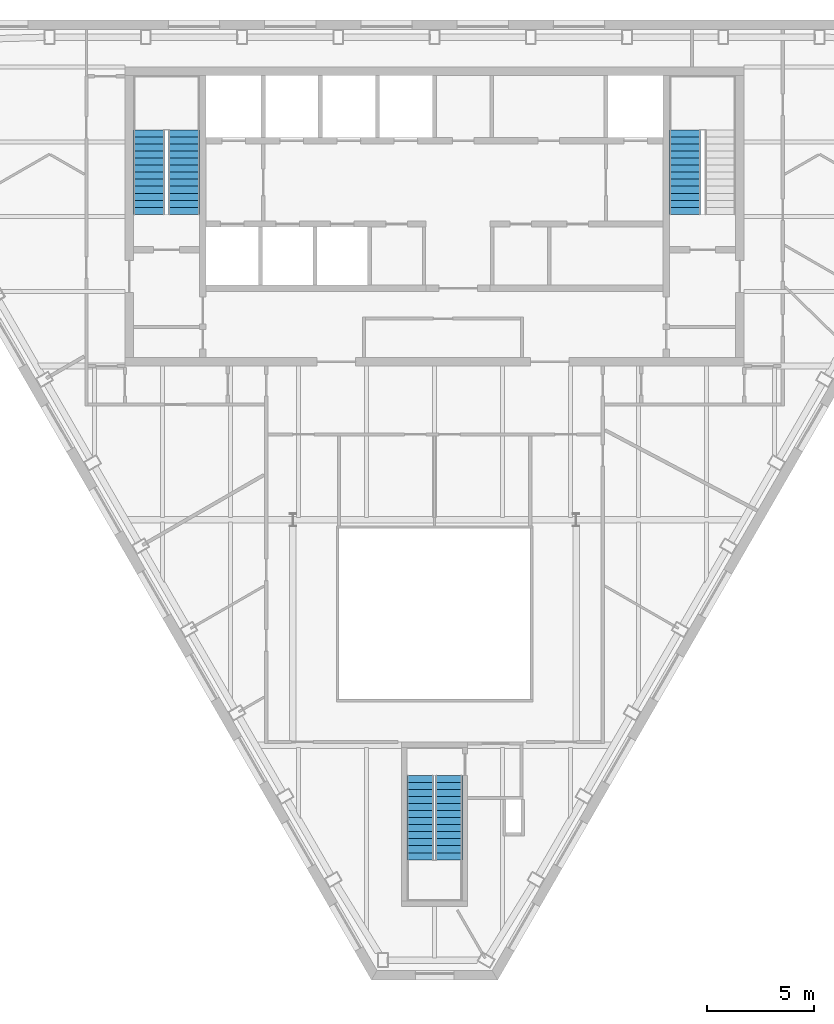
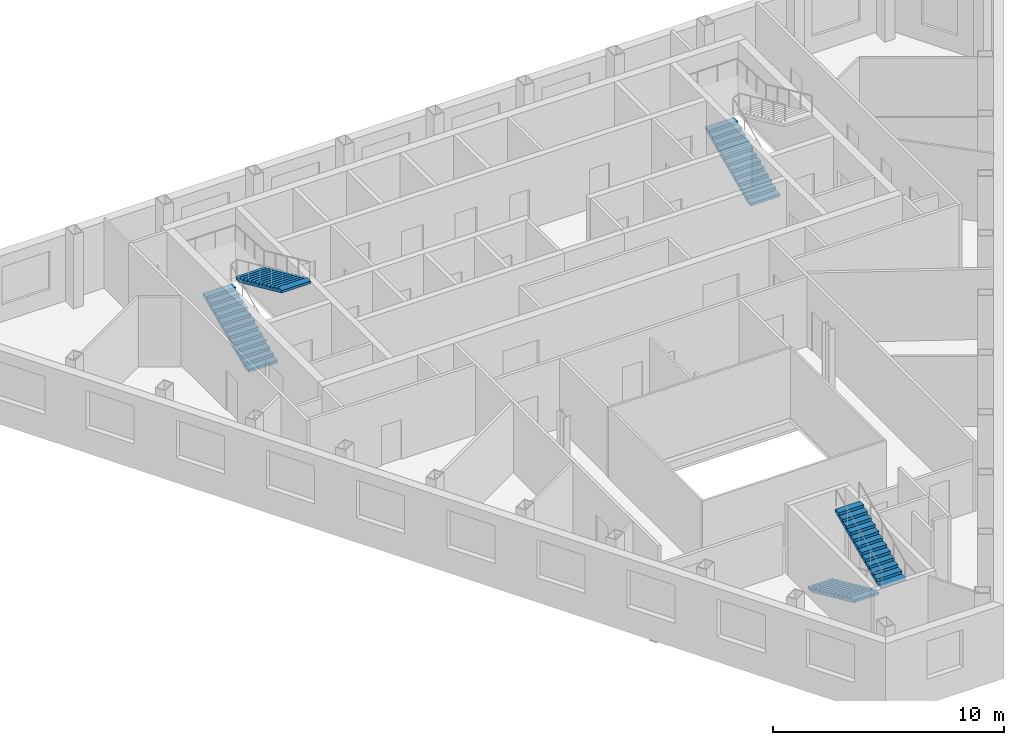
# One storey, part 8 of 10: 5 stair flights, 3 elements without a shape of their own.
"""IFC4 building model written with IfcOpenShell, lengths in metres."""

from ifc_helpers import new_model, si_unit, direction, frame, origin, place, context, subcontext, project, spatial, polygons, material, type_object, element, aggregate, save


model = new_model("IFC4")

# Units and contexts
model_context = context("Model", 3, precision=1e-05, world=origin(), true_north=direction((0.0, 1.0)))
body_context = subcontext(model_context, "Body", "Model", "MODEL_VIEW")
ifc_project = project(units=[si_unit("LENGTHUNIT", "METRE"), si_unit("AREAUNIT", "SQUARE_METRE"), si_unit("VOLUMEUNIT", "CUBIC_METRE"), si_unit("PLANEANGLEUNIT", "RADIAN"), si_unit("MASSUNIT", "GRAM", prefix="KILO")], contexts=[model_context])

# Site, building, storey
site_placement = place(None, origin())
site = spatial("IfcSite", under=ifc_project, at=site_placement, CompositionType="ELEMENT")
building_placement = place(site_placement, origin())
building = spatial("IfcBuilding", under=site, at=building_placement, Name="Njiva Tower", CompositionType="ELEMENT")
storey_placement = place(building_placement, frame((0.0, 0.0, 261.0)))
storey = spatial("IfcBuildingStorey", under=building, at=storey_placement, Name="L59", CompositionType="ELEMENT", Elevation=261.0)

# Stair, stair flights
ifc_material = material(Name="Concrete C40/50", Category="concrete")
stair_type_1 = type_object("IfcStairType", Name="ST1 Exit stair 1250", PredefinedType="HALF_TURN_STAIR", material=ifc_material)
stair_1_placement = place(storey_placement, origin())
stair_1 = element("IfcStair", 1, at=stair_1_placement, inside=storey, type_object=stair_type_1, Name="Stair C", PredefinedType="HALF_TURN_STAIR")
stair_flight_type_1 = type_object("IfcStairFlightType", Name="FL1 Stair flight 1250", PredefinedType="STRAIGHT", material=ifc_material)
stair_flight_1_placement = place(storey_placement, frame((-0.675, -15.16, 0.0), z_axis=(0.0, 0.0, 1.0), x_axis=(0.0, -1.0, 0.0)))
stair_flight_1 = element("IfcStairFlight", 2, at=stair_flight_1_placement, type_object=stair_flight_type_1, Name="ST-C flight 1", NumberOfRisers=13, NumberOfTreads=12, PredefinedType="STRAIGHT", RiserHeight=0.15, TreadLength=0.33, context=body_context, shape_type="Tessellation", body=[
    polygons([(0.0, 0.625, 0.0), (0.0, 0.3125, 0.0), (0.0, 0.0, 0.0), (0.0, -0.3125, 0.0), (0.0, -0.625, 0.0), (0.0, 0.625, 0.15), (0.0, 0.3125, 0.15), (0.0, 0.0, 0.15), (0.0, -0.3125, 0.15), (0.0, -0.625, 0.15), (0.33, 0.625, 0.15), (0.33, 0.3125, 0.15), (0.33, 0.0, 0.15), (0.33, -0.3125, 0.15), (0.33, -0.625, 0.15), (0.33, 0.625, 0.3), (0.33, 0.3125, 0.3), (0.33, 0.0, 0.3), (0.33, -0.3125, 0.3), (0.33, -0.625, 0.3), (0.66, 0.625, 0.3), (0.66, 0.3125, 0.3), (0.66, 0.0, 0.3), (0.66, -0.3125, 0.3), (0.66, -0.625, 0.3), (0.66, 0.625, 0.45), (0.66, 0.3125, 0.45), (0.66, 0.0, 0.45), (0.66, -0.3125, 0.45), (0.66, -0.625, 0.45), (0.99, 0.625, 0.45), (0.99, 0.3125, 0.45), (0.99, 0.0, 0.45), (0.99, -0.3125, 0.45), (0.99, -0.625, 0.45), (0.99, 0.625, 0.6), (0.99, 0.3125, 0.6), (0.99, 0.0, 0.6), (0.99, -0.3125, 0.6), (0.99, -0.625, 0.6), (1.32, 0.625, 0.6), (1.32, 0.3125, 0.6), (1.32, 0.0, 0.6), (1.32, -0.3125, 0.6), (1.32, -0.625, 0.6), (1.32, 0.625, 0.75), (1.32, 0.3125, 0.75), (1.32, 0.0, 0.75), (1.32, -0.3125, 0.75), (1.32, -0.625, 0.75), (1.65, 0.625, 0.75), (1.65, 0.3125, 0.75), (1.65, 0.0, 0.75), (1.65, -0.3125, 0.75), (1.65, -0.625, 0.75), (1.65, 0.625, 0.9), (1.65, 0.3125, 0.9), (1.65, 0.0, 0.9), (1.65, -0.3125, 0.9), (1.65, -0.625, 0.9), (1.98, 0.625, 0.9), (1.98, 0.3125, 0.9), (1.98, 0.0, 0.9), (1.98, -0.3125, 0.9), (1.98, -0.625, 0.9), (1.98, 0.625, 1.05), (1.98, 0.3125, 1.05), (1.98, 0.0, 1.05), (1.98, -0.3125, 1.05), (1.98, -0.625, 1.05), (2.31, 0.625, 1.05), (2.31, 0.3125, 1.05), (2.31, 0.0, 1.05), (2.31, -0.3125, 1.05), (2.31, -0.625, 1.05), (2.31, 0.625, 1.2), (2.31, 0.3125, 1.2), (2.31, 0.0, 1.2), (2.31, -0.3125, 1.2), (2.31, -0.625, 1.2), (2.64, 0.625, 1.2), (2.64, 0.3125, 1.2), (2.64, 0.0, 1.2), (2.64, -0.3125, 1.2), (2.64, -0.625, 1.2), (2.64, 0.625, 1.35), (2.64, 0.3125, 1.35), (2.64, 0.0, 1.35), (2.64, -0.3125, 1.35), (2.64, -0.625, 1.35), (2.97, 0.625, 1.35), (2.97, 0.3125, 1.35), (2.97, 0.0, 1.35), (2.97, -0.3125, 1.35), (2.97, -0.625, 1.35), (2.97, 0.625, 1.5), (2.97, 0.3125, 1.5), (2.97, 0.0, 1.5), (2.97, -0.3125, 1.5), (2.97, -0.625, 1.5), (3.3, 0.625, 1.5), (3.3, 0.3125, 1.5), (3.3, 0.0, 1.5), (3.3, -0.3125, 1.5), (3.3, -0.625, 1.5), (3.3, 0.625, 1.65), (3.3, 0.3125, 1.65), (3.3, 0.0, 1.65), (3.3, -0.3125, 1.65), (3.3, -0.625, 1.65), (3.63, 0.625, 1.65), (3.63, 0.3125, 1.65), (3.63, 0.0, 1.65), (3.63, -0.3125, 1.65), (3.63, -0.625, 1.65), (3.63, 0.625, 1.8), (3.63, 0.3125, 1.8), (3.63, 0.0, 1.8), (3.63, -0.3125, 1.8), (3.63, -0.625, 1.8), (3.96, 0.625, 1.8), (3.96, 0.3125, 1.8), (3.96, 0.0, 1.8), (3.96, -0.3125, 1.8), (3.96, -0.625, 1.8), (3.96, 0.625, 1.6682), (3.96, 0.3125, 1.6682), (3.96, 0.0, 1.6682), (3.96, -0.3125, 1.6682), (3.96, -0.625, 1.6682), (0.29, 0.625, 0.0), (0.29, 0.3125, 0.0), (0.29, 0.0, 0.0), (0.29, -0.3125, 0.0), (0.29, -0.625, 0.0)], [[[1, 6, 11, 16, 21, 26, 31, 36, 41, 46, 51, 56, 61, 66, 71, 76, 81, 86, 91, 96, 101, 106, 111, 116, 121, 126, 131]], [[135, 130, 125, 120, 115, 110, 105, 100, 95, 90, 85, 80, 75, 70, 65, 60, 55, 50, 45, 40, 35, 30, 25, 20, 15, 10, 5]], [[6, 1, 2, 7]], [[7, 2, 3, 8]], [[8, 3, 4, 9]], [[9, 4, 5, 10]], [[11, 6, 7, 12]], [[12, 7, 8, 13]], [[13, 8, 9, 14]], [[14, 9, 10, 15]], [[16, 11, 12, 17]], [[17, 12, 13, 18]], [[18, 13, 14, 19]], [[19, 14, 15, 20]], [[21, 16, 17, 22]], [[22, 17, 18, 23]], [[23, 18, 19, 24]], [[24, 19, 20, 25]], [[26, 21, 22, 27]], [[27, 22, 23, 28]], [[28, 23, 24, 29]], [[29, 24, 25, 30]], [[31, 26, 27, 32]], [[32, 27, 28, 33]], [[33, 28, 29, 34]], [[34, 29, 30, 35]], [[36, 31, 32, 37]], [[37, 32, 33, 38]], [[38, 33, 34, 39]], [[39, 34, 35, 40]], [[41, 36, 37, 42]], [[42, 37, 38, 43]], [[43, 38, 39, 44]], [[44, 39, 40, 45]], [[46, 41, 42, 47]], [[47, 42, 43, 48]], [[48, 43, 44, 49]], [[49, 44, 45, 50]], [[51, 46, 47, 52]], [[52, 47, 48, 53]], [[53, 48, 49, 54]], [[54, 49, 50, 55]], [[56, 51, 52, 57]], [[57, 52, 53, 58]], [[58, 53, 54, 59]], [[59, 54, 55, 60]], [[61, 56, 57, 62]], [[62, 57, 58, 63]], [[63, 58, 59, 64]], [[64, 59, 60, 65]], [[66, 61, 62, 67]], [[67, 62, 63, 68]], [[68, 63, 64, 69]], [[69, 64, 65, 70]], [[71, 66, 67, 72]], [[72, 67, 68, 73]], [[73, 68, 69, 74]], [[74, 69, 70, 75]], [[76, 71, 72, 77]], [[77, 72, 73, 78]], [[78, 73, 74, 79]], [[79, 74, 75, 80]], [[81, 76, 77, 82]], [[82, 77, 78, 83]], [[83, 78, 79, 84]], [[84, 79, 80, 85]], [[86, 81, 82, 87]], [[87, 82, 83, 88]], [[88, 83, 84, 89]], [[89, 84, 85, 90]], [[91, 86, 87, 92]], [[92, 87, 88, 93]], [[93, 88, 89, 94]], [[94, 89, 90, 95]], [[96, 91, 92, 97]], [[97, 92, 93, 98]], [[98, 93, 94, 99]], [[99, 94, 95, 100]], [[101, 96, 97, 102]], [[102, 97, 98, 103]], [[103, 98, 99, 104]], [[104, 99, 100, 105]], [[106, 101, 102, 107]], [[107, 102, 103, 108]], [[108, 103, 104, 109]], [[109, 104, 105, 110]], [[111, 106, 107, 112]], [[112, 107, 108, 113]], [[113, 108, 109, 114]], [[114, 109, 110, 115]], [[116, 111, 112, 117]], [[117, 112, 113, 118]], [[118, 113, 114, 119]], [[119, 114, 115, 120]], [[121, 116, 117, 122]], [[122, 117, 118, 123]], [[123, 118, 119, 124]], [[124, 119, 120, 125]], [[126, 121, 122, 127]], [[127, 122, 123, 128]], [[128, 123, 124, 129]], [[129, 124, 125, 130]], [[131, 126, 127, 132]], [[132, 127, 128, 133]], [[133, 128, 129, 134]], [[134, 129, 130, 135]], [[1, 131, 132, 2]], [[2, 132, 133, 3]], [[3, 133, 134, 4]], [[4, 134, 135, 5]]], closed=True),
])
stair_flight_2_placement = place(storey_placement, frame((0.675, -19.12, 1.95), z_axis=(0.0, 0.0, 1.0), x_axis=(0.0, 1.0, 0.0)))
stair_flight_2 = element("IfcStairFlight", 3, at=stair_flight_2_placement, type_object=stair_flight_type_1, Name="ST-C flight 2", NumberOfRisers=13, NumberOfTreads=12, PredefinedType="STRAIGHT", RiserHeight=0.15, TreadLength=0.33, context=body_context, shape_type="Tessellation", body=[
    polygons([(0.0, 0.625, 0.0), (0.0, 0.3125, 0.0), (0.0, 0.0, 0.0), (0.0, -0.3125, 0.0), (0.0, -0.625, 0.0), (0.0, 0.625, 0.15), (0.0, 0.3125, 0.15), (0.0, 0.0, 0.15), (0.0, -0.3125, 0.15), (0.0, -0.625, 0.15), (0.33, 0.625, 0.15), (0.33, 0.3125, 0.15), (0.33, 0.0, 0.15), (0.33, -0.3125, 0.15), (0.33, -0.625, 0.15), (0.33, 0.625, 0.3), (0.33, 0.3125, 0.3), (0.33, 0.0, 0.3), (0.33, -0.3125, 0.3), (0.33, -0.625, 0.3), (0.66, 0.625, 0.3), (0.66, 0.3125, 0.3), (0.66, 0.0, 0.3), (0.66, -0.3125, 0.3), (0.66, -0.625, 0.3), (0.66, 0.625, 0.45), (0.66, 0.3125, 0.45), (0.66, 0.0, 0.45), (0.66, -0.3125, 0.45), (0.66, -0.625, 0.45), (0.99, 0.625, 0.45), (0.99, 0.3125, 0.45), (0.99, 0.0, 0.45), (0.99, -0.3125, 0.45), (0.99, -0.625, 0.45), (0.99, 0.625, 0.6), (0.99, 0.3125, 0.6), (0.99, 0.0, 0.6), (0.99, -0.3125, 0.6), (0.99, -0.625, 0.6), (1.32, 0.625, 0.6), (1.32, 0.3125, 0.6), (1.32, 0.0, 0.6), (1.32, -0.3125, 0.6), (1.32, -0.625, 0.6), (1.32, 0.625, 0.75), (1.32, 0.3125, 0.75), (1.32, 0.0, 0.75), (1.32, -0.3125, 0.75), (1.32, -0.625, 0.75), (1.65, 0.625, 0.75), (1.65, 0.3125, 0.75), (1.65, 0.0, 0.75), (1.65, -0.3125, 0.75), (1.65, -0.625, 0.75), (1.65, 0.625, 0.9), (1.65, 0.3125, 0.9), (1.65, 0.0, 0.9), (1.65, -0.3125, 0.9), (1.65, -0.625, 0.9), (1.98, 0.625, 0.9), (1.98, 0.3125, 0.9), (1.98, 0.0, 0.9), (1.98, -0.3125, 0.9), (1.98, -0.625, 0.9), (1.98, 0.625, 1.05), (1.98, 0.3125, 1.05), (1.98, 0.0, 1.05), (1.98, -0.3125, 1.05), (1.98, -0.625, 1.05), (2.31, 0.625, 1.05), (2.31, 0.3125, 1.05), (2.31, 0.0, 1.05), (2.31, -0.3125, 1.05), (2.31, -0.625, 1.05), (2.31, 0.625, 1.2), (2.31, 0.3125, 1.2), (2.31, 0.0, 1.2), (2.31, -0.3125, 1.2), (2.31, -0.625, 1.2), (2.64, 0.625, 1.2), (2.64, 0.3125, 1.2), (2.64, 0.0, 1.2), (2.64, -0.3125, 1.2), (2.64, -0.625, 1.2), (2.64, 0.625, 1.35), (2.64, 0.3125, 1.35), (2.64, 0.0, 1.35), (2.64, -0.3125, 1.35), (2.64, -0.625, 1.35), (2.97, 0.625, 1.35), (2.97, 0.3125, 1.35), (2.97, 0.0, 1.35), (2.97, -0.3125, 1.35), (2.97, -0.625, 1.35), (2.97, 0.625, 1.5), (2.97, 0.3125, 1.5), (2.97, 0.0, 1.5), (2.97, -0.3125, 1.5), (2.97, -0.625, 1.5), (3.3, 0.625, 1.5), (3.3, 0.3125, 1.5), (3.3, 0.0, 1.5), (3.3, -0.3125, 1.5), (3.3, -0.625, 1.5), (3.3, 0.625, 1.65), (3.3, 0.3125, 1.65), (3.3, 0.0, 1.65), (3.3, -0.3125, 1.65), (3.3, -0.625, 1.65), (3.63, 0.625, 1.65), (3.63, 0.3125, 1.65), (3.63, 0.0, 1.65), (3.63, -0.3125, 1.65), (3.63, -0.625, 1.65), (3.63, 0.625, 1.8), (3.63, 0.3125, 1.8), (3.63, 0.0, 1.8), (3.63, -0.3125, 1.8), (3.63, -0.625, 1.8), (3.96, 0.625, 1.8), (3.96, 0.3125, 1.8), (3.96, 0.0, 1.8), (3.96, -0.3125, 1.8), (3.96, -0.625, 1.8), (3.96, 0.625, 1.6682), (3.96, 0.3125, 1.6682), (3.96, 0.0, 1.6682), (3.96, -0.3125, 1.6682), (3.96, -0.625, 1.6682), (0.29, 0.625, 0.0), (0.29, 0.3125, 0.0), (0.29, 0.0, 0.0), (0.29, -0.3125, 0.0), (0.29, -0.625, 0.0)], [[[1, 6, 11, 16, 21, 26, 31, 36, 41, 46, 51, 56, 61, 66, 71, 76, 81, 86, 91, 96, 101, 106, 111, 116, 121, 126, 131]], [[135, 130, 125, 120, 115, 110, 105, 100, 95, 90, 85, 80, 75, 70, 65, 60, 55, 50, 45, 40, 35, 30, 25, 20, 15, 10, 5]], [[6, 1, 2, 7]], [[7, 2, 3, 8]], [[8, 3, 4, 9]], [[9, 4, 5, 10]], [[11, 6, 7, 12]], [[12, 7, 8, 13]], [[13, 8, 9, 14]], [[14, 9, 10, 15]], [[16, 11, 12, 17]], [[17, 12, 13, 18]], [[18, 13, 14, 19]], [[19, 14, 15, 20]], [[21, 16, 17, 22]], [[22, 17, 18, 23]], [[23, 18, 19, 24]], [[24, 19, 20, 25]], [[26, 21, 22, 27]], [[27, 22, 23, 28]], [[28, 23, 24, 29]], [[29, 24, 25, 30]], [[31, 26, 27, 32]], [[32, 27, 28, 33]], [[33, 28, 29, 34]], [[34, 29, 30, 35]], [[36, 31, 32, 37]], [[37, 32, 33, 38]], [[38, 33, 34, 39]], [[39, 34, 35, 40]], [[41, 36, 37, 42]], [[42, 37, 38, 43]], [[43, 38, 39, 44]], [[44, 39, 40, 45]], [[46, 41, 42, 47]], [[47, 42, 43, 48]], [[48, 43, 44, 49]], [[49, 44, 45, 50]], [[51, 46, 47, 52]], [[52, 47, 48, 53]], [[53, 48, 49, 54]], [[54, 49, 50, 55]], [[56, 51, 52, 57]], [[57, 52, 53, 58]], [[58, 53, 54, 59]], [[59, 54, 55, 60]], [[61, 56, 57, 62]], [[62, 57, 58, 63]], [[63, 58, 59, 64]], [[64, 59, 60, 65]], [[66, 61, 62, 67]], [[67, 62, 63, 68]], [[68, 63, 64, 69]], [[69, 64, 65, 70]], [[71, 66, 67, 72]], [[72, 67, 68, 73]], [[73, 68, 69, 74]], [[74, 69, 70, 75]], [[76, 71, 72, 77]], [[77, 72, 73, 78]], [[78, 73, 74, 79]], [[79, 74, 75, 80]], [[81, 76, 77, 82]], [[82, 77, 78, 83]], [[83, 78, 79, 84]], [[84, 79, 80, 85]], [[86, 81, 82, 87]], [[87, 82, 83, 88]], [[88, 83, 84, 89]], [[89, 84, 85, 90]], [[91, 86, 87, 92]], [[92, 87, 88, 93]], [[93, 88, 89, 94]], [[94, 89, 90, 95]], [[96, 91, 92, 97]], [[97, 92, 93, 98]], [[98, 93, 94, 99]], [[99, 94, 95, 100]], [[101, 96, 97, 102]], [[102, 97, 98, 103]], [[103, 98, 99, 104]], [[104, 99, 100, 105]], [[106, 101, 102, 107]], [[107, 102, 103, 108]], [[108, 103, 104, 109]], [[109, 104, 105, 110]], [[111, 106, 107, 112]], [[112, 107, 108, 113]], [[113, 108, 109, 114]], [[114, 109, 110, 115]], [[116, 111, 112, 117]], [[117, 112, 113, 118]], [[118, 113, 114, 119]], [[119, 114, 115, 120]], [[121, 116, 117, 122]], [[122, 117, 118, 123]], [[123, 118, 119, 124]], [[124, 119, 120, 125]], [[126, 121, 122, 127]], [[127, 122, 123, 128]], [[128, 123, 124, 129]], [[129, 124, 125, 130]], [[131, 126, 127, 132]], [[132, 127, 128, 133]], [[133, 128, 129, 134]], [[134, 129, 130, 135]], [[1, 131, 132, 2]], [[2, 132, 133, 3]], [[3, 133, 134, 4]], [[4, 134, 135, 5]]], closed=True),
])
aggregate(stair_1, [stair_flight_1, stair_flight_2])

stair_type_2 = type_object("IfcStairType", Name="ST3 Exit stair 1450", PredefinedType="HALF_TURN_STAIR", material=ifc_material)
stair_2_placement = place(storey_placement, origin())
stair_2 = element("IfcStair", 4, at=stair_2_placement, inside=storey, type_object=stair_type_2, Name="Stair A", PredefinedType="HALF_TURN_STAIR")
stair_flight_type_2 = type_object("IfcStairFlightType", Name="FL3 Stair flight 1450", PredefinedType="STRAIGHT", material=ifc_material)
stair_flight_3_placement = place(storey_placement, frame((-13.375, 11.1, 0.0), z_axis=(0.0, 0.0, 1.0), x_axis=(0.0, 1.0, 0.0)))
stair_flight_3 = element("IfcStairFlight", 5, at=stair_flight_3_placement, type_object=stair_flight_type_2, Name="ST-A flight 1", NumberOfRisers=13, NumberOfTreads=12, PredefinedType="STRAIGHT", RiserHeight=0.15, TreadLength=0.33, context=body_context, shape_type="Tessellation", body=[
    polygons([(0.0, 0.725, 0.0), (0.0, 0.3625, 0.0), (0.0, 0.0, 0.0), (0.0, -0.3625, 0.0), (0.0, -0.725, 0.0), (0.0, 0.725, 0.15), (0.0, 0.3625, 0.15), (0.0, 0.0, 0.15), (0.0, -0.3625, 0.15), (0.0, -0.725, 0.15), (0.33, 0.725, 0.15), (0.33, 0.3625, 0.15), (0.33, 0.0, 0.15), (0.33, -0.3625, 0.15), (0.33, -0.725, 0.15), (0.33, 0.725, 0.3), (0.33, 0.3625, 0.3), (0.33, 0.0, 0.3), (0.33, -0.3625, 0.3), (0.33, -0.725, 0.3), (0.66, 0.725, 0.3), (0.66, 0.3625, 0.3), (0.66, 0.0, 0.3), (0.66, -0.3625, 0.3), (0.66, -0.725, 0.3), (0.66, 0.725, 0.45), (0.66, 0.3625, 0.45), (0.66, 0.0, 0.45), (0.66, -0.3625, 0.45), (0.66, -0.725, 0.45), (0.99, 0.725, 0.45), (0.99, 0.3625, 0.45), (0.99, 0.0, 0.45), (0.99, -0.3625, 0.45), (0.99, -0.725, 0.45), (0.99, 0.725, 0.6), (0.99, 0.3625, 0.6), (0.99, 0.0, 0.6), (0.99, -0.3625, 0.6), (0.99, -0.725, 0.6), (1.32, 0.725, 0.6), (1.32, 0.3625, 0.6), (1.32, 0.0, 0.6), (1.32, -0.3625, 0.6), (1.32, -0.725, 0.6), (1.32, 0.725, 0.75), (1.32, 0.3625, 0.75), (1.32, 0.0, 0.75), (1.32, -0.3625, 0.75), (1.32, -0.725, 0.75), (1.65, 0.725, 0.75), (1.65, 0.3625, 0.75), (1.65, 0.0, 0.75), (1.65, -0.3625, 0.75), (1.65, -0.725, 0.75), (1.65, 0.725, 0.9), (1.65, 0.3625, 0.9), (1.65, 0.0, 0.9), (1.65, -0.3625, 0.9), (1.65, -0.725, 0.9), (1.98, 0.725, 0.9), (1.98, 0.3625, 0.9), (1.98, 0.0, 0.9), (1.98, -0.3625, 0.9), (1.98, -0.725, 0.9), (1.98, 0.725, 1.05), (1.98, 0.3625, 1.05), (1.98, 0.0, 1.05), (1.98, -0.3625, 1.05), (1.98, -0.725, 1.05), (2.31, 0.725, 1.05), (2.31, 0.3625, 1.05), (2.31, 0.0, 1.05), (2.31, -0.3625, 1.05), (2.31, -0.725, 1.05), (2.31, 0.725, 1.2), (2.31, 0.3625, 1.2), (2.31, 0.0, 1.2), (2.31, -0.3625, 1.2), (2.31, -0.725, 1.2), (2.64, 0.725, 1.2), (2.64, 0.3625, 1.2), (2.64, 0.0, 1.2), (2.64, -0.3625, 1.2), (2.64, -0.725, 1.2), (2.64, 0.725, 1.35), (2.64, 0.3625, 1.35), (2.64, 0.0, 1.35), (2.64, -0.3625, 1.35), (2.64, -0.725, 1.35), (2.97, 0.725, 1.35), (2.97, 0.3625, 1.35), (2.97, 0.0, 1.35), (2.97, -0.3625, 1.35), (2.97, -0.725, 1.35), (2.97, 0.725, 1.5), (2.97, 0.3625, 1.5), (2.97, 0.0, 1.5), (2.97, -0.3625, 1.5), (2.97, -0.725, 1.5), (3.3, 0.725, 1.5), (3.3, 0.3625, 1.5), (3.3, 0.0, 1.5), (3.3, -0.3625, 1.5), (3.3, -0.725, 1.5), (3.3, 0.725, 1.65), (3.3, 0.3625, 1.65), (3.3, 0.0, 1.65), (3.3, -0.3625, 1.65), (3.3, -0.725, 1.65), (3.63, 0.725, 1.65), (3.63, 0.3625, 1.65), (3.63, 0.0, 1.65), (3.63, -0.3625, 1.65), (3.63, -0.725, 1.65), (3.63, 0.725, 1.8), (3.63, 0.3625, 1.8), (3.63, 0.0, 1.8), (3.63, -0.3625, 1.8), (3.63, -0.725, 1.8), (3.96, 0.725, 1.8), (3.96, 0.3625, 1.8), (3.96, 0.0, 1.8), (3.96, -0.3625, 1.8), (3.96, -0.725, 1.8), (3.96, 0.725, 1.6682), (3.96, 0.3625, 1.6682), (3.96, 0.0, 1.6682), (3.96, -0.3625, 1.6682), (3.96, -0.725, 1.6682), (0.29, 0.725, 0.0), (0.29, 0.3625, 0.0), (0.29, 0.0, 0.0), (0.29, -0.3625, 0.0), (0.29, -0.725, 0.0)], [[[1, 6, 11, 16, 21, 26, 31, 36, 41, 46, 51, 56, 61, 66, 71, 76, 81, 86, 91, 96, 101, 106, 111, 116, 121, 126, 131]], [[135, 130, 125, 120, 115, 110, 105, 100, 95, 90, 85, 80, 75, 70, 65, 60, 55, 50, 45, 40, 35, 30, 25, 20, 15, 10, 5]], [[6, 1, 2, 7]], [[7, 2, 3, 8]], [[8, 3, 4, 9]], [[9, 4, 5, 10]], [[11, 6, 7, 12]], [[12, 7, 8, 13]], [[13, 8, 9, 14]], [[14, 9, 10, 15]], [[16, 11, 12, 17]], [[17, 12, 13, 18]], [[18, 13, 14, 19]], [[19, 14, 15, 20]], [[21, 16, 17, 22]], [[22, 17, 18, 23]], [[23, 18, 19, 24]], [[24, 19, 20, 25]], [[26, 21, 22, 27]], [[27, 22, 23, 28]], [[28, 23, 24, 29]], [[29, 24, 25, 30]], [[31, 26, 27, 32]], [[32, 27, 28, 33]], [[33, 28, 29, 34]], [[34, 29, 30, 35]], [[36, 31, 32, 37]], [[37, 32, 33, 38]], [[38, 33, 34, 39]], [[39, 34, 35, 40]], [[41, 36, 37, 42]], [[42, 37, 38, 43]], [[43, 38, 39, 44]], [[44, 39, 40, 45]], [[46, 41, 42, 47]], [[47, 42, 43, 48]], [[48, 43, 44, 49]], [[49, 44, 45, 50]], [[51, 46, 47, 52]], [[52, 47, 48, 53]], [[53, 48, 49, 54]], [[54, 49, 50, 55]], [[56, 51, 52, 57]], [[57, 52, 53, 58]], [[58, 53, 54, 59]], [[59, 54, 55, 60]], [[61, 56, 57, 62]], [[62, 57, 58, 63]], [[63, 58, 59, 64]], [[64, 59, 60, 65]], [[66, 61, 62, 67]], [[67, 62, 63, 68]], [[68, 63, 64, 69]], [[69, 64, 65, 70]], [[71, 66, 67, 72]], [[72, 67, 68, 73]], [[73, 68, 69, 74]], [[74, 69, 70, 75]], [[76, 71, 72, 77]], [[77, 72, 73, 78]], [[78, 73, 74, 79]], [[79, 74, 75, 80]], [[81, 76, 77, 82]], [[82, 77, 78, 83]], [[83, 78, 79, 84]], [[84, 79, 80, 85]], [[86, 81, 82, 87]], [[87, 82, 83, 88]], [[88, 83, 84, 89]], [[89, 84, 85, 90]], [[91, 86, 87, 92]], [[92, 87, 88, 93]], [[93, 88, 89, 94]], [[94, 89, 90, 95]], [[96, 91, 92, 97]], [[97, 92, 93, 98]], [[98, 93, 94, 99]], [[99, 94, 95, 100]], [[101, 96, 97, 102]], [[102, 97, 98, 103]], [[103, 98, 99, 104]], [[104, 99, 100, 105]], [[106, 101, 102, 107]], [[107, 102, 103, 108]], [[108, 103, 104, 109]], [[109, 104, 105, 110]], [[111, 106, 107, 112]], [[112, 107, 108, 113]], [[113, 108, 109, 114]], [[114, 109, 110, 115]], [[116, 111, 112, 117]], [[117, 112, 113, 118]], [[118, 113, 114, 119]], [[119, 114, 115, 120]], [[121, 116, 117, 122]], [[122, 117, 118, 123]], [[123, 118, 119, 124]], [[124, 119, 120, 125]], [[126, 121, 122, 127]], [[127, 122, 123, 128]], [[128, 123, 124, 129]], [[129, 124, 125, 130]], [[131, 126, 127, 132]], [[132, 127, 128, 133]], [[133, 128, 129, 134]], [[134, 129, 130, 135]], [[1, 131, 132, 2]], [[2, 132, 133, 3]], [[3, 133, 134, 4]], [[4, 134, 135, 5]]], closed=True),
])
stair_flight_4_placement = place(storey_placement, frame((-11.725, 15.06, 1.95), z_axis=(0.0, 0.0, 1.0), x_axis=(0.0, -1.0, 0.0)))
stair_flight_4 = element("IfcStairFlight", 6, at=stair_flight_4_placement, type_object=stair_flight_type_2, Name="ST-A flight 2", NumberOfRisers=13, NumberOfTreads=12, PredefinedType="STRAIGHT", RiserHeight=0.15, TreadLength=0.33, context=body_context, shape_type="Tessellation", body=[
    polygons([(0.0, 0.725, 0.0), (0.0, 0.3625, 0.0), (0.0, 0.0, 0.0), (0.0, -0.3625, 0.0), (0.0, -0.725, 0.0), (0.0, 0.725, 0.15), (0.0, 0.3625, 0.15), (0.0, 0.0, 0.15), (0.0, -0.3625, 0.15), (0.0, -0.725, 0.15), (0.33, 0.725, 0.15), (0.33, 0.3625, 0.15), (0.33, 0.0, 0.15), (0.33, -0.3625, 0.15), (0.33, -0.725, 0.15), (0.33, 0.725, 0.3), (0.33, 0.3625, 0.3), (0.33, 0.0, 0.3), (0.33, -0.3625, 0.3), (0.33, -0.725, 0.3), (0.66, 0.725, 0.3), (0.66, 0.3625, 0.3), (0.66, 0.0, 0.3), (0.66, -0.3625, 0.3), (0.66, -0.725, 0.3), (0.66, 0.725, 0.45), (0.66, 0.3625, 0.45), (0.66, 0.0, 0.45), (0.66, -0.3625, 0.45), (0.66, -0.725, 0.45), (0.99, 0.725, 0.45), (0.99, 0.3625, 0.45), (0.99, 0.0, 0.45), (0.99, -0.3625, 0.45), (0.99, -0.725, 0.45), (0.99, 0.725, 0.6), (0.99, 0.3625, 0.6), (0.99, 0.0, 0.6), (0.99, -0.3625, 0.6), (0.99, -0.725, 0.6), (1.32, 0.725, 0.6), (1.32, 0.3625, 0.6), (1.32, 0.0, 0.6), (1.32, -0.3625, 0.6), (1.32, -0.725, 0.6), (1.32, 0.725, 0.75), (1.32, 0.3625, 0.75), (1.32, 0.0, 0.75), (1.32, -0.3625, 0.75), (1.32, -0.725, 0.75), (1.65, 0.725, 0.75), (1.65, 0.3625, 0.75), (1.65, 0.0, 0.75), (1.65, -0.3625, 0.75), (1.65, -0.725, 0.75), (1.65, 0.725, 0.9), (1.65, 0.3625, 0.9), (1.65, 0.0, 0.9), (1.65, -0.3625, 0.9), (1.65, -0.725, 0.9), (1.98, 0.725, 0.9), (1.98, 0.3625, 0.9), (1.98, 0.0, 0.9), (1.98, -0.3625, 0.9), (1.98, -0.725, 0.9), (1.98, 0.725, 1.05), (1.98, 0.3625, 1.05), (1.98, 0.0, 1.05), (1.98, -0.3625, 1.05), (1.98, -0.725, 1.05), (2.31, 0.725, 1.05), (2.31, 0.3625, 1.05), (2.31, 0.0, 1.05), (2.31, -0.3625, 1.05), (2.31, -0.725, 1.05), (2.31, 0.725, 1.2), (2.31, 0.3625, 1.2), (2.31, 0.0, 1.2), (2.31, -0.3625, 1.2), (2.31, -0.725, 1.2), (2.64, 0.725, 1.2), (2.64, 0.3625, 1.2), (2.64, 0.0, 1.2), (2.64, -0.3625, 1.2), (2.64, -0.725, 1.2), (2.64, 0.725, 1.35), (2.64, 0.3625, 1.35), (2.64, 0.0, 1.35), (2.64, -0.3625, 1.35), (2.64, -0.725, 1.35), (2.97, 0.725, 1.35), (2.97, 0.3625, 1.35), (2.97, 0.0, 1.35), (2.97, -0.3625, 1.35), (2.97, -0.725, 1.35), (2.97, 0.725, 1.5), (2.97, 0.3625, 1.5), (2.97, 0.0, 1.5), (2.97, -0.3625, 1.5), (2.97, -0.725, 1.5), (3.3, 0.725, 1.5), (3.3, 0.3625, 1.5), (3.3, 0.0, 1.5), (3.3, -0.3625, 1.5), (3.3, -0.725, 1.5), (3.3, 0.725, 1.65), (3.3, 0.3625, 1.65), (3.3, 0.0, 1.65), (3.3, -0.3625, 1.65), (3.3, -0.725, 1.65), (3.63, 0.725, 1.65), (3.63, 0.3625, 1.65), (3.63, 0.0, 1.65), (3.63, -0.3625, 1.65), (3.63, -0.725, 1.65), (3.63, 0.725, 1.8), (3.63, 0.3625, 1.8), (3.63, 0.0, 1.8), (3.63, -0.3625, 1.8), (3.63, -0.725, 1.8), (3.96, 0.725, 1.8), (3.96, 0.3625, 1.8), (3.96, 0.0, 1.8), (3.96, -0.3625, 1.8), (3.96, -0.725, 1.8), (3.96, 0.725, 1.6682), (3.96, 0.3625, 1.6682), (3.96, 0.0, 1.6682), (3.96, -0.3625, 1.6682), (3.96, -0.725, 1.6682), (0.29, 0.725, 0.0), (0.29, 0.3625, 0.0), (0.29, 0.0, 0.0), (0.29, -0.3625, 0.0), (0.29, -0.725, 0.0)], [[[1, 6, 11, 16, 21, 26, 31, 36, 41, 46, 51, 56, 61, 66, 71, 76, 81, 86, 91, 96, 101, 106, 111, 116, 121, 126, 131]], [[135, 130, 125, 120, 115, 110, 105, 100, 95, 90, 85, 80, 75, 70, 65, 60, 55, 50, 45, 40, 35, 30, 25, 20, 15, 10, 5]], [[6, 1, 2, 7]], [[7, 2, 3, 8]], [[8, 3, 4, 9]], [[9, 4, 5, 10]], [[11, 6, 7, 12]], [[12, 7, 8, 13]], [[13, 8, 9, 14]], [[14, 9, 10, 15]], [[16, 11, 12, 17]], [[17, 12, 13, 18]], [[18, 13, 14, 19]], [[19, 14, 15, 20]], [[21, 16, 17, 22]], [[22, 17, 18, 23]], [[23, 18, 19, 24]], [[24, 19, 20, 25]], [[26, 21, 22, 27]], [[27, 22, 23, 28]], [[28, 23, 24, 29]], [[29, 24, 25, 30]], [[31, 26, 27, 32]], [[32, 27, 28, 33]], [[33, 28, 29, 34]], [[34, 29, 30, 35]], [[36, 31, 32, 37]], [[37, 32, 33, 38]], [[38, 33, 34, 39]], [[39, 34, 35, 40]], [[41, 36, 37, 42]], [[42, 37, 38, 43]], [[43, 38, 39, 44]], [[44, 39, 40, 45]], [[46, 41, 42, 47]], [[47, 42, 43, 48]], [[48, 43, 44, 49]], [[49, 44, 45, 50]], [[51, 46, 47, 52]], [[52, 47, 48, 53]], [[53, 48, 49, 54]], [[54, 49, 50, 55]], [[56, 51, 52, 57]], [[57, 52, 53, 58]], [[58, 53, 54, 59]], [[59, 54, 55, 60]], [[61, 56, 57, 62]], [[62, 57, 58, 63]], [[63, 58, 59, 64]], [[64, 59, 60, 65]], [[66, 61, 62, 67]], [[67, 62, 63, 68]], [[68, 63, 64, 69]], [[69, 64, 65, 70]], [[71, 66, 67, 72]], [[72, 67, 68, 73]], [[73, 68, 69, 74]], [[74, 69, 70, 75]], [[76, 71, 72, 77]], [[77, 72, 73, 78]], [[78, 73, 74, 79]], [[79, 74, 75, 80]], [[81, 76, 77, 82]], [[82, 77, 78, 83]], [[83, 78, 79, 84]], [[84, 79, 80, 85]], [[86, 81, 82, 87]], [[87, 82, 83, 88]], [[88, 83, 84, 89]], [[89, 84, 85, 90]], [[91, 86, 87, 92]], [[92, 87, 88, 93]], [[93, 88, 89, 94]], [[94, 89, 90, 95]], [[96, 91, 92, 97]], [[97, 92, 93, 98]], [[98, 93, 94, 99]], [[99, 94, 95, 100]], [[101, 96, 97, 102]], [[102, 97, 98, 103]], [[103, 98, 99, 104]], [[104, 99, 100, 105]], [[106, 101, 102, 107]], [[107, 102, 103, 108]], [[108, 103, 104, 109]], [[109, 104, 105, 110]], [[111, 106, 107, 112]], [[112, 107, 108, 113]], [[113, 108, 109, 114]], [[114, 109, 110, 115]], [[116, 111, 112, 117]], [[117, 112, 113, 118]], [[118, 113, 114, 119]], [[119, 114, 115, 120]], [[121, 116, 117, 122]], [[122, 117, 118, 123]], [[123, 118, 119, 124]], [[124, 119, 120, 125]], [[126, 121, 122, 127]], [[127, 122, 123, 128]], [[128, 123, 124, 129]], [[129, 124, 125, 130]], [[131, 126, 127, 132]], [[132, 127, 128, 133]], [[133, 128, 129, 134]], [[134, 129, 130, 135]], [[1, 131, 132, 2]], [[2, 132, 133, 3]], [[3, 133, 134, 4]], [[4, 134, 135, 5]]], closed=True),
])
aggregate(stair_2, [stair_flight_3, stair_flight_4])

# Stair, stair flight
stair_3_placement = place(storey_placement, origin())
stair_3 = element("IfcStair", 7, at=stair_3_placement, inside=storey, type_object=stair_type_2, Name="Stair B", PredefinedType="HALF_TURN_STAIR")
stair_flight_5_placement = place(storey_placement, frame((11.725, 11.1, 0.0), z_axis=(0.0, 0.0, 1.0), x_axis=(0.0, 1.0, 0.0)))
stair_flight_5 = element("IfcStairFlight", 8, at=stair_flight_5_placement, type_object=stair_flight_type_2, Name="ST-B flight 1", NumberOfRisers=13, NumberOfTreads=12, PredefinedType="STRAIGHT", RiserHeight=0.15, TreadLength=0.33, context=body_context, shape_type="Tessellation", body=[
    polygons([(0.0, 0.725, 0.0), (0.0, 0.3625, 0.0), (0.0, 0.0, 0.0), (0.0, -0.3625, 0.0), (0.0, -0.725, 0.0), (0.0, 0.725, 0.15), (0.0, 0.3625, 0.15), (0.0, 0.0, 0.15), (0.0, -0.3625, 0.15), (0.0, -0.725, 0.15), (0.33, 0.725, 0.15), (0.33, 0.3625, 0.15), (0.33, 0.0, 0.15), (0.33, -0.3625, 0.15), (0.33, -0.725, 0.15), (0.33, 0.725, 0.3), (0.33, 0.3625, 0.3), (0.33, 0.0, 0.3), (0.33, -0.3625, 0.3), (0.33, -0.725, 0.3), (0.66, 0.725, 0.3), (0.66, 0.3625, 0.3), (0.66, 0.0, 0.3), (0.66, -0.3625, 0.3), (0.66, -0.725, 0.3), (0.66, 0.725, 0.45), (0.66, 0.3625, 0.45), (0.66, 0.0, 0.45), (0.66, -0.3625, 0.45), (0.66, -0.725, 0.45), (0.99, 0.725, 0.45), (0.99, 0.3625, 0.45), (0.99, 0.0, 0.45), (0.99, -0.3625, 0.45), (0.99, -0.725, 0.45), (0.99, 0.725, 0.6), (0.99, 0.3625, 0.6), (0.99, 0.0, 0.6), (0.99, -0.3625, 0.6), (0.99, -0.725, 0.6), (1.32, 0.725, 0.6), (1.32, 0.3625, 0.6), (1.32, 0.0, 0.6), (1.32, -0.3625, 0.6), (1.32, -0.725, 0.6), (1.32, 0.725, 0.75), (1.32, 0.3625, 0.75), (1.32, 0.0, 0.75), (1.32, -0.3625, 0.75), (1.32, -0.725, 0.75), (1.65, 0.725, 0.75), (1.65, 0.3625, 0.75), (1.65, 0.0, 0.75), (1.65, -0.3625, 0.75), (1.65, -0.725, 0.75), (1.65, 0.725, 0.9), (1.65, 0.3625, 0.9), (1.65, 0.0, 0.9), (1.65, -0.3625, 0.9), (1.65, -0.725, 0.9), (1.98, 0.725, 0.9), (1.98, 0.3625, 0.9), (1.98, 0.0, 0.9), (1.98, -0.3625, 0.9), (1.98, -0.725, 0.9), (1.98, 0.725, 1.05), (1.98, 0.3625, 1.05), (1.98, 0.0, 1.05), (1.98, -0.3625, 1.05), (1.98, -0.725, 1.05), (2.31, 0.725, 1.05), (2.31, 0.3625, 1.05), (2.31, 0.0, 1.05), (2.31, -0.3625, 1.05), (2.31, -0.725, 1.05), (2.31, 0.725, 1.2), (2.31, 0.3625, 1.2), (2.31, 0.0, 1.2), (2.31, -0.3625, 1.2), (2.31, -0.725, 1.2), (2.64, 0.725, 1.2), (2.64, 0.3625, 1.2), (2.64, 0.0, 1.2), (2.64, -0.3625, 1.2), (2.64, -0.725, 1.2), (2.64, 0.725, 1.35), (2.64, 0.3625, 1.35), (2.64, 0.0, 1.35), (2.64, -0.3625, 1.35), (2.64, -0.725, 1.35), (2.97, 0.725, 1.35), (2.97, 0.3625, 1.35), (2.97, 0.0, 1.35), (2.97, -0.3625, 1.35), (2.97, -0.725, 1.35), (2.97, 0.725, 1.5), (2.97, 0.3625, 1.5), (2.97, 0.0, 1.5), (2.97, -0.3625, 1.5), (2.97, -0.725, 1.5), (3.3, 0.725, 1.5), (3.3, 0.3625, 1.5), (3.3, 0.0, 1.5), (3.3, -0.3625, 1.5), (3.3, -0.725, 1.5), (3.3, 0.725, 1.65), (3.3, 0.3625, 1.65), (3.3, 0.0, 1.65), (3.3, -0.3625, 1.65), (3.3, -0.725, 1.65), (3.63, 0.725, 1.65), (3.63, 0.3625, 1.65), (3.63, 0.0, 1.65), (3.63, -0.3625, 1.65), (3.63, -0.725, 1.65), (3.63, 0.725, 1.8), (3.63, 0.3625, 1.8), (3.63, 0.0, 1.8), (3.63, -0.3625, 1.8), (3.63, -0.725, 1.8), (3.96, 0.725, 1.8), (3.96, 0.3625, 1.8), (3.96, 0.0, 1.8), (3.96, -0.3625, 1.8), (3.96, -0.725, 1.8), (3.96, 0.725, 1.6682), (3.96, 0.3625, 1.6682), (3.96, 0.0, 1.6682), (3.96, -0.3625, 1.6682), (3.96, -0.725, 1.6682), (0.29, 0.725, 0.0), (0.29, 0.3625, 0.0), (0.29, 0.0, 0.0), (0.29, -0.3625, 0.0), (0.29, -0.725, 0.0)], [[[1, 6, 11, 16, 21, 26, 31, 36, 41, 46, 51, 56, 61, 66, 71, 76, 81, 86, 91, 96, 101, 106, 111, 116, 121, 126, 131]], [[135, 130, 125, 120, 115, 110, 105, 100, 95, 90, 85, 80, 75, 70, 65, 60, 55, 50, 45, 40, 35, 30, 25, 20, 15, 10, 5]], [[6, 1, 2, 7]], [[7, 2, 3, 8]], [[8, 3, 4, 9]], [[9, 4, 5, 10]], [[11, 6, 7, 12]], [[12, 7, 8, 13]], [[13, 8, 9, 14]], [[14, 9, 10, 15]], [[16, 11, 12, 17]], [[17, 12, 13, 18]], [[18, 13, 14, 19]], [[19, 14, 15, 20]], [[21, 16, 17, 22]], [[22, 17, 18, 23]], [[23, 18, 19, 24]], [[24, 19, 20, 25]], [[26, 21, 22, 27]], [[27, 22, 23, 28]], [[28, 23, 24, 29]], [[29, 24, 25, 30]], [[31, 26, 27, 32]], [[32, 27, 28, 33]], [[33, 28, 29, 34]], [[34, 29, 30, 35]], [[36, 31, 32, 37]], [[37, 32, 33, 38]], [[38, 33, 34, 39]], [[39, 34, 35, 40]], [[41, 36, 37, 42]], [[42, 37, 38, 43]], [[43, 38, 39, 44]], [[44, 39, 40, 45]], [[46, 41, 42, 47]], [[47, 42, 43, 48]], [[48, 43, 44, 49]], [[49, 44, 45, 50]], [[51, 46, 47, 52]], [[52, 47, 48, 53]], [[53, 48, 49, 54]], [[54, 49, 50, 55]], [[56, 51, 52, 57]], [[57, 52, 53, 58]], [[58, 53, 54, 59]], [[59, 54, 55, 60]], [[61, 56, 57, 62]], [[62, 57, 58, 63]], [[63, 58, 59, 64]], [[64, 59, 60, 65]], [[66, 61, 62, 67]], [[67, 62, 63, 68]], [[68, 63, 64, 69]], [[69, 64, 65, 70]], [[71, 66, 67, 72]], [[72, 67, 68, 73]], [[73, 68, 69, 74]], [[74, 69, 70, 75]], [[76, 71, 72, 77]], [[77, 72, 73, 78]], [[78, 73, 74, 79]], [[79, 74, 75, 80]], [[81, 76, 77, 82]], [[82, 77, 78, 83]], [[83, 78, 79, 84]], [[84, 79, 80, 85]], [[86, 81, 82, 87]], [[87, 82, 83, 88]], [[88, 83, 84, 89]], [[89, 84, 85, 90]], [[91, 86, 87, 92]], [[92, 87, 88, 93]], [[93, 88, 89, 94]], [[94, 89, 90, 95]], [[96, 91, 92, 97]], [[97, 92, 93, 98]], [[98, 93, 94, 99]], [[99, 94, 95, 100]], [[101, 96, 97, 102]], [[102, 97, 98, 103]], [[103, 98, 99, 104]], [[104, 99, 100, 105]], [[106, 101, 102, 107]], [[107, 102, 103, 108]], [[108, 103, 104, 109]], [[109, 104, 105, 110]], [[111, 106, 107, 112]], [[112, 107, 108, 113]], [[113, 108, 109, 114]], [[114, 109, 110, 115]], [[116, 111, 112, 117]], [[117, 112, 113, 118]], [[118, 113, 114, 119]], [[119, 114, 115, 120]], [[121, 116, 117, 122]], [[122, 117, 118, 123]], [[123, 118, 119, 124]], [[124, 119, 120, 125]], [[126, 121, 122, 127]], [[127, 122, 123, 128]], [[128, 123, 124, 129]], [[129, 124, 125, 130]], [[131, 126, 127, 132]], [[132, 127, 128, 133]], [[133, 128, 129, 134]], [[134, 129, 130, 135]], [[1, 131, 132, 2]], [[2, 132, 133, 3]], [[3, 133, 134, 4]], [[4, 134, 135, 5]]], closed=True),
])
aggregate(stair_3, [stair_flight_5])

save(model, "model.ifc")
